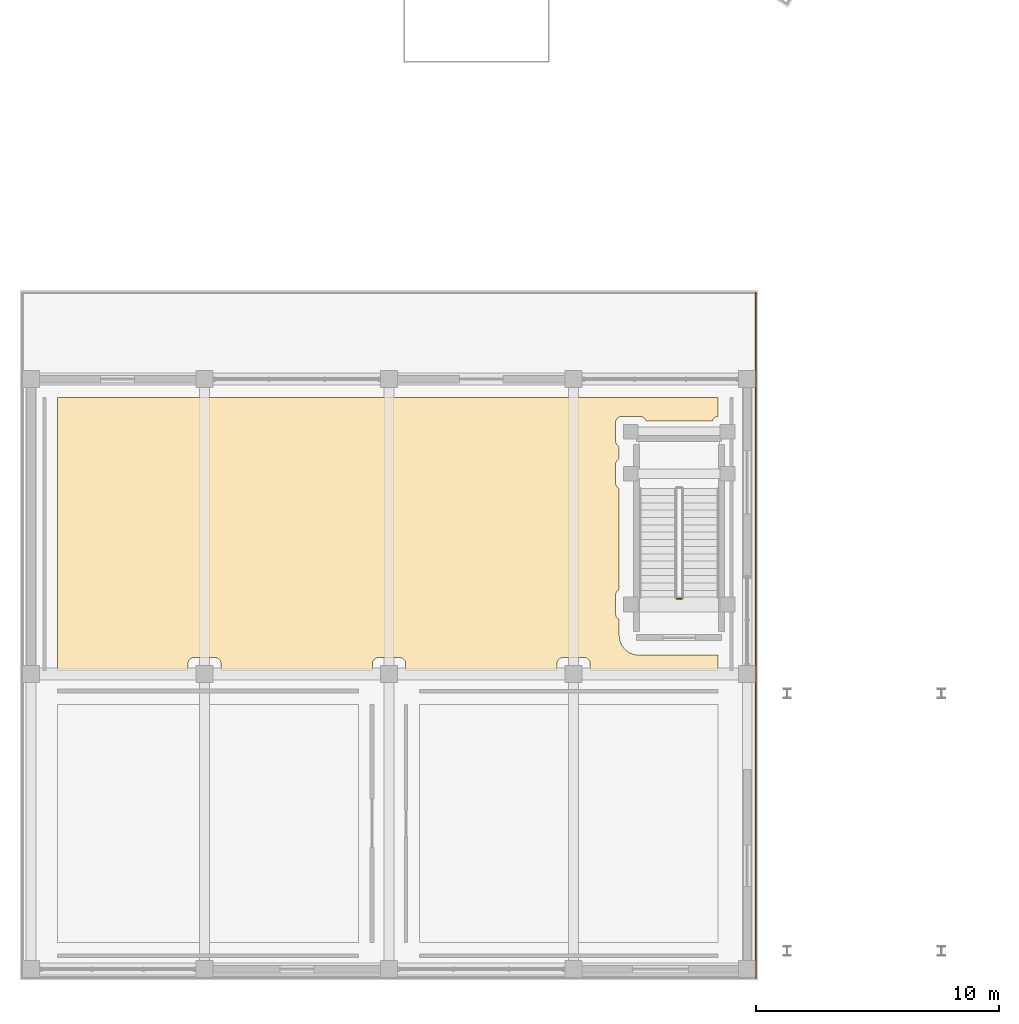
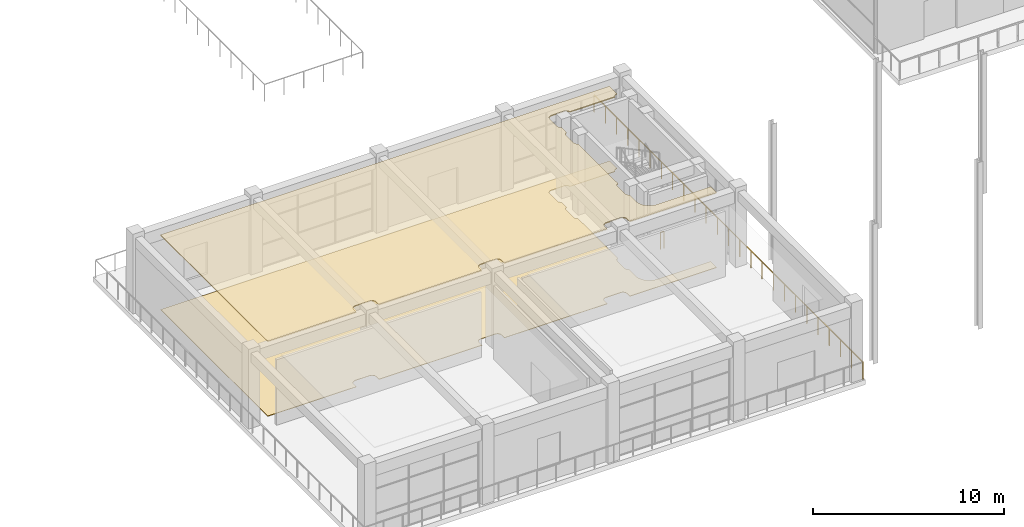
# One storey, part 78 of 99: 2 coverings, 2 railings.
"""IFC4 building model written with IfcOpenShell, lengths in metres."""

from ifc_helpers import new_model, si_unit, direction, frame, origin, origin_2d, place, context, subcontext, project, spatial, polyline, rectangle, outline, extrude, material, layer, layer_set, type_object, element, save


model = new_model("IFC4")

# Units and contexts
model_context = context("Model", 3, precision=1e-05, world=origin(), true_north=direction((0.0, 1.0)))
body_context = subcontext(model_context, "Body", "Model", "MODEL_VIEW")
ifc_project = project(units=[si_unit("LENGTHUNIT", "METRE"), si_unit("AREAUNIT", "SQUARE_METRE"), si_unit("VOLUMEUNIT", "CUBIC_METRE"), si_unit("PLANEANGLEUNIT", "RADIAN"), si_unit("MASSUNIT", "GRAM", prefix="KILO")], contexts=[model_context])

# Site, building, storey
site_placement = place(None, origin())
site = spatial("IfcSite", under=ifc_project, at=site_placement, CompositionType="ELEMENT")
building_placement = place(site_placement, origin())
building = spatial("IfcBuilding", under=site, at=building_placement, Name="Saryqyr Civic Hall", CompositionType="ELEMENT")
storey_placement = place(building_placement, origin())
storey = spatial("IfcBuildingStorey", under=building, at=storey_placement, Name="L00", CompositionType="ELEMENT", Elevation=0.0)

# Coverings
ifc_material_1 = material(Name="Mineral-fibre acoustic ceiling tile", Category="acoustic_tile")
ifc_layer_1 = layer(ifc_material_1, 0.06005859375, Name="Mineral-fibre acoustic ceiling tile")
ifc_layer_set_1 = layer_set([ifc_layer_1], Name="Mineral-fibre acoustic ceiling tile")
covering_type_1 = type_object("IfcCoveringType", Name="INT-COV-CEIL-60", PredefinedType="CEILING", material=ifc_layer_set_1)
covering_1_placement = place(storey_placement, frame((0.0, 0.0, 4.760009765625)))
element("IfcCovering", 1, at=covering_1_placement, inside=storey, type_object=covering_type_1, Name="Acoustic ceiling West Gatehouse Protected Exit Lobby and Public Concourse", PredefinedType="CEILING", context=body_context, shape_type="SweptSolid", body=[
    extrude(outline(polyline([(28.735595703125, 23.208740234375), (28.711181640625, 23.205078125), (28.6875, 23.19921875), (28.664306640625, 23.19091796875), (28.64208984375, 23.180419921875), (28.62109375, 23.16796875), (28.601318359375, 23.1533203125), (28.583251953125, 23.13671875), (28.566650390625, 23.11865234375), (28.552001953125, 23.098876953125), (28.53955078125, 23.077880859375), (28.529052734375, 23.0556640625), (28.520751953125, 23.03271484375), (28.517578125, 23.02001953125), (25.782470703125, 23.02001953125), (25.779296875, 23.03271484375), (25.77099609375, 23.0556640625), (25.760498046875, 23.077880859375), (25.747802734375, 23.098876953125), (25.7333984375, 23.11865234375), (25.716796875, 23.13671875), (25.698486328125, 23.1533203125), (25.678955078125, 23.16796875), (25.65771484375, 23.180419921875), (25.6357421875, 23.19091796875), (25.612548828125, 23.19921875), (25.5888671875, 23.205078125), (25.564453125, 23.208740234375), (25.5400390625, 23.2099609375), (24.780029296875, 23.2099609375), (24.755615234375, 23.208740234375), (24.731201171875, 23.205078125), (24.70751953125, 23.19921875), (24.684326171875, 23.19091796875), (24.662109375, 23.180419921875), (24.64111328125, 23.16796875), (24.621337890625, 23.1533203125), (24.603271484375, 23.13671875), (24.586669921875, 23.11865234375), (24.572021484375, 23.098876953125), (24.5595703125, 23.077880859375), (24.549072265625, 23.0556640625), (24.540771484375, 23.03271484375), (24.534912109375, 23.0087890625), (24.53125, 22.984619140625), (24.530029296875, 22.9599609375), (24.530029296875, 22.199951171875), (24.53125, 22.175537109375), (24.534912109375, 22.151123046875), (24.540771484375, 22.12744140625), (24.549072265625, 22.104248046875), (24.5595703125, 22.082275390625), (24.572021484375, 22.06103515625), (24.586669921875, 22.04150390625), (24.603271484375, 22.023193359375), (24.621337890625, 22.006591796875), (24.64111328125, 21.9921875), (24.662109375, 21.9794921875), (24.679931640625, 21.97119140625), (24.679931640625, 21.458984375), (24.662109375, 21.450439453125), (24.64111328125, 21.43798828125), (24.621337890625, 21.42333984375), (24.603271484375, 21.40673828125), (24.586669921875, 21.388671875), (24.572021484375, 21.368896484375), (24.5595703125, 21.347900390625), (24.549072265625, 21.32568359375), (24.540771484375, 21.302490234375), (24.534912109375, 21.27880859375), (24.53125, 21.25439453125), (24.530029296875, 21.22998046875), (24.530029296875, 20.469970703125), (24.53125, 20.445556640625), (24.534912109375, 20.421142578125), (24.540771484375, 20.3974609375), (24.549072265625, 20.374267578125), (24.5595703125, 20.352294921875), (24.572021484375, 20.3310546875), (24.586669921875, 20.311279296875), (24.603271484375, 20.293212890625), (24.621337890625, 20.276611328125), (24.64111328125, 20.26220703125), (24.662109375, 20.24951171875), (24.679931640625, 20.2412109375), (24.679931640625, 16.073974609375), (24.662109375, 16.0654296875), (24.64111328125, 16.052978515625), (24.621337890625, 16.038330078125), (24.603271484375, 16.021728515625), (24.586669921875, 16.003662109375), (24.572021484375, 15.98388671875), (24.5595703125, 15.962890625), (24.549072265625, 15.940673828125), (24.540771484375, 15.91748046875), (24.534912109375, 15.893798828125), (24.53125, 15.869384765625), (24.530029296875, 15.844970703125), (24.530029296875, 15.0849609375), (24.53125, 15.060546875), (24.534912109375, 15.0361328125), (24.540771484375, 15.012451171875), (24.549072265625, 14.9892578125), (24.5595703125, 14.96728515625), (24.572021484375, 14.946044921875), (24.586669921875, 14.926513671875), (24.603271484375, 14.908203125), (24.621337890625, 14.8916015625), (24.64111328125, 14.877197265625), (24.662109375, 14.864501953125), (24.679931640625, 14.856201171875), (24.679931640625, 14.199951171875), (24.680419921875, 14.180419921875), (24.6826171875, 14.13916015625), (24.686279296875, 14.10009765625), (24.6923828125, 14.059326171875), (24.7001953125, 14.02099609375), (24.710205078125, 13.98095703125), (24.721435546875, 13.943359375), (24.7353515625, 13.904541015625), (24.75048828125, 13.868408203125), (24.76806640625, 13.8310546875), (24.78662109375, 13.79638671875), (24.8076171875, 13.760986328125), (24.82958984375, 13.728515625), (24.85400390625, 13.6953125), (24.87890625, 13.664794921875), (24.906494140625, 13.634521484375), (24.934326171875, 13.606689453125), (24.96484375, 13.5791015625), (24.995361328125, 13.55419921875), (25.0283203125, 13.529541015625), (25.06103515625, 13.5078125), (25.096435546875, 13.486572265625), (25.131103515625, 13.468017578125), (25.168212890625, 13.450439453125), (25.20458984375, 13.435302734375), (25.243408203125, 13.42138671875), (25.281005859375, 13.41015625), (25.32080078125, 13.400146484375), (25.359375, 13.392333984375), (25.400146484375, 13.386474609375), (25.439208984375, 13.382568359375), (25.48046875, 13.380615234375), (25.5, 13.3798828125), (28.75, 13.3798828125), (28.75, 12.75), (23.47998046875, 12.75), (23.47998046875, 13.030029296875), (23.478759765625, 13.054443359375), (23.47509765625, 13.078857421875), (23.46923828125, 13.1025390625), (23.4609375, 13.125732421875), (23.450439453125, 13.147705078125), (23.43798828125, 13.1689453125), (23.42333984375, 13.188720703125), (23.40673828125, 13.206787109375), (23.388671875, 13.223388671875), (23.368896484375, 13.23779296875), (23.347900390625, 13.25048828125), (23.32568359375, 13.260986328125), (23.302490234375, 13.269287109375), (23.27880859375, 13.275146484375), (23.25439453125, 13.27880859375), (23.22998046875, 13.280029296875), (22.3701171875, 13.280029296875), (22.345458984375, 13.27880859375), (22.3212890625, 13.275146484375), (22.29736328125, 13.269287109375), (22.2744140625, 13.260986328125), (22.252197265625, 13.25048828125), (22.231201171875, 13.23779296875), (22.21142578125, 13.223388671875), (22.193115234375, 13.206787109375), (22.1767578125, 13.188720703125), (22.162109375, 13.1689453125), (22.1494140625, 13.147705078125), (22.138916015625, 13.125732421875), (22.130859375, 13.1025390625), (22.124755859375, 13.078857421875), (22.12109375, 13.054443359375), (22.1201171875, 13.030029296875), (22.1201171875, 12.75), (15.8798828125, 12.75), (15.8798828125, 13.030029296875), (15.87890625, 13.054443359375), (15.875244140625, 13.078857421875), (15.869140625, 13.1025390625), (15.861083984375, 13.125732421875), (15.8505859375, 13.147705078125), (15.837890625, 13.1689453125), (15.8232421875, 13.188720703125), (15.806884765625, 13.206787109375), (15.78857421875, 13.223388671875), (15.768798828125, 13.23779296875), (15.747802734375, 13.25048828125), (15.7255859375, 13.260986328125), (15.70263671875, 13.269287109375), (15.6787109375, 13.275146484375), (15.654541015625, 13.27880859375), (15.6298828125, 13.280029296875), (14.77001953125, 13.280029296875), (14.74560546875, 13.27880859375), (14.72119140625, 13.275146484375), (14.697509765625, 13.269287109375), (14.67431640625, 13.260986328125), (14.652099609375, 13.25048828125), (14.631103515625, 13.23779296875), (14.611328125, 13.223388671875), (14.59326171875, 13.206787109375), (14.57666015625, 13.188720703125), (14.56201171875, 13.1689453125), (14.549560546875, 13.147705078125), (14.5390625, 13.125732421875), (14.53076171875, 13.1025390625), (14.52490234375, 13.078857421875), (14.521240234375, 13.054443359375), (14.52001953125, 13.030029296875), (14.52001953125, 12.75), (8.280029296875, 12.75), (8.280029296875, 13.030029296875), (8.27880859375, 13.054443359375), (8.275146484375, 13.078857421875), (8.269287109375, 13.1025390625), (8.260986328125, 13.125732421875), (8.25048828125, 13.147705078125), (8.23779296875, 13.1689453125), (8.223388671875, 13.188720703125), (8.206787109375, 13.206787109375), (8.188720703125, 13.223388671875), (8.1689453125, 13.23779296875), (8.147705078125, 13.25048828125), (8.125732421875, 13.260986328125), (8.1025390625, 13.269287109375), (8.078857421875, 13.275146484375), (8.054443359375, 13.27880859375), (8.030029296875, 13.280029296875), (7.169921875, 13.280029296875), (7.1455078125, 13.27880859375), (7.12109375, 13.275146484375), (7.097412109375, 13.269287109375), (7.07421875, 13.260986328125), (7.05224609375, 13.25048828125), (7.031005859375, 13.23779296875), (7.011474609375, 13.223388671875), (6.9931640625, 13.206787109375), (6.976806640625, 13.188720703125), (6.962158203125, 13.1689453125), (6.949462890625, 13.147705078125), (6.93896484375, 13.125732421875), (6.930908203125, 13.1025390625), (6.9248046875, 13.078857421875), (6.921142578125, 13.054443359375), (6.919921875, 13.030029296875), (6.919921875, 12.75), (1.550048828125, 12.75), (1.550048828125, 24.0), (28.75, 24.0), (28.75, 23.20947265625), (28.735595703125, 23.208740234375)])), origin(), (0.0, 0.0, 1.0), 0.06005859375),
])
ifc_material_2 = material(Name="Polished terrazzo tile", Category="stone")
ifc_layer_2 = layer(ifc_material_2, 0.030029296875, Name="Polished terrazzo tile")
ifc_layer_set_2 = layer_set([ifc_layer_2], Name="Polished terrazzo tile")
covering_type_2 = type_object("IfcCoveringType", Name="INT-COV-FLR-30", PredefinedType="FLOORING", material=ifc_layer_set_2)
covering_2_placement = place(storey_placement, origin())
element("IfcCovering", 2, at=covering_2_placement, inside=storey, type_object=covering_type_2, Name="Polished terrazzo flooring West Gatehouse Protected Exit Lobby and Public Concourse", PredefinedType="FLOORING", context=body_context, shape_type="SweptSolid", body=[
    extrude(outline(polyline([(28.735595703125, 23.208740234375), (28.711181640625, 23.205078125), (28.6875, 23.19921875), (28.664306640625, 23.19091796875), (28.64208984375, 23.180419921875), (28.62109375, 23.16796875), (28.601318359375, 23.1533203125), (28.583251953125, 23.13671875), (28.566650390625, 23.11865234375), (28.552001953125, 23.098876953125), (28.53955078125, 23.077880859375), (28.529052734375, 23.0556640625), (28.520751953125, 23.03271484375), (28.517578125, 23.02001953125), (25.782470703125, 23.02001953125), (25.779296875, 23.03271484375), (25.77099609375, 23.0556640625), (25.760498046875, 23.077880859375), (25.747802734375, 23.098876953125), (25.7333984375, 23.11865234375), (25.716796875, 23.13671875), (25.698486328125, 23.1533203125), (25.678955078125, 23.16796875), (25.65771484375, 23.180419921875), (25.6357421875, 23.19091796875), (25.612548828125, 23.19921875), (25.5888671875, 23.205078125), (25.564453125, 23.208740234375), (25.5400390625, 23.2099609375), (24.780029296875, 23.2099609375), (24.755615234375, 23.208740234375), (24.731201171875, 23.205078125), (24.70751953125, 23.19921875), (24.684326171875, 23.19091796875), (24.662109375, 23.180419921875), (24.64111328125, 23.16796875), (24.621337890625, 23.1533203125), (24.603271484375, 23.13671875), (24.586669921875, 23.11865234375), (24.572021484375, 23.098876953125), (24.5595703125, 23.077880859375), (24.549072265625, 23.0556640625), (24.540771484375, 23.03271484375), (24.534912109375, 23.0087890625), (24.53125, 22.984619140625), (24.530029296875, 22.9599609375), (24.530029296875, 22.199951171875), (24.53125, 22.175537109375), (24.534912109375, 22.151123046875), (24.540771484375, 22.12744140625), (24.549072265625, 22.104248046875), (24.5595703125, 22.082275390625), (24.572021484375, 22.06103515625), (24.586669921875, 22.04150390625), (24.603271484375, 22.023193359375), (24.621337890625, 22.006591796875), (24.64111328125, 21.9921875), (24.662109375, 21.9794921875), (24.679931640625, 21.97119140625), (24.679931640625, 21.458984375), (24.662109375, 21.450439453125), (24.64111328125, 21.43798828125), (24.621337890625, 21.42333984375), (24.603271484375, 21.40673828125), (24.586669921875, 21.388671875), (24.572021484375, 21.368896484375), (24.5595703125, 21.347900390625), (24.549072265625, 21.32568359375), (24.540771484375, 21.302490234375), (24.534912109375, 21.27880859375), (24.53125, 21.25439453125), (24.530029296875, 21.22998046875), (24.530029296875, 20.469970703125), (24.53125, 20.445556640625), (24.534912109375, 20.421142578125), (24.540771484375, 20.3974609375), (24.549072265625, 20.374267578125), (24.5595703125, 20.352294921875), (24.572021484375, 20.3310546875), (24.586669921875, 20.311279296875), (24.603271484375, 20.293212890625), (24.621337890625, 20.276611328125), (24.64111328125, 20.26220703125), (24.662109375, 20.24951171875), (24.679931640625, 20.2412109375), (24.679931640625, 16.073974609375), (24.662109375, 16.0654296875), (24.64111328125, 16.052978515625), (24.621337890625, 16.038330078125), (24.603271484375, 16.021728515625), (24.586669921875, 16.003662109375), (24.572021484375, 15.98388671875), (24.5595703125, 15.962890625), (24.549072265625, 15.940673828125), (24.540771484375, 15.91748046875), (24.534912109375, 15.893798828125), (24.53125, 15.869384765625), (24.530029296875, 15.844970703125), (24.530029296875, 15.0849609375), (24.53125, 15.060546875), (24.534912109375, 15.0361328125), (24.540771484375, 15.012451171875), (24.549072265625, 14.9892578125), (24.5595703125, 14.96728515625), (24.572021484375, 14.946044921875), (24.586669921875, 14.926513671875), (24.603271484375, 14.908203125), (24.621337890625, 14.8916015625), (24.64111328125, 14.877197265625), (24.662109375, 14.864501953125), (24.679931640625, 14.856201171875), (24.679931640625, 14.199951171875), (24.680419921875, 14.180419921875), (24.6826171875, 14.13916015625), (24.686279296875, 14.10009765625), (24.6923828125, 14.059326171875), (24.7001953125, 14.02099609375), (24.710205078125, 13.98095703125), (24.721435546875, 13.943359375), (24.7353515625, 13.904541015625), (24.75048828125, 13.868408203125), (24.76806640625, 13.8310546875), (24.78662109375, 13.79638671875), (24.8076171875, 13.760986328125), (24.82958984375, 13.728515625), (24.85400390625, 13.6953125), (24.87890625, 13.664794921875), (24.906494140625, 13.634521484375), (24.934326171875, 13.606689453125), (24.96484375, 13.5791015625), (24.995361328125, 13.55419921875), (25.0283203125, 13.529541015625), (25.06103515625, 13.5078125), (25.096435546875, 13.486572265625), (25.131103515625, 13.468017578125), (25.168212890625, 13.450439453125), (25.20458984375, 13.435302734375), (25.243408203125, 13.42138671875), (25.281005859375, 13.41015625), (25.32080078125, 13.400146484375), (25.359375, 13.392333984375), (25.400146484375, 13.386474609375), (25.439208984375, 13.382568359375), (25.48046875, 13.380615234375), (25.5, 13.3798828125), (28.75, 13.3798828125), (28.75, 12.75), (23.47998046875, 12.75), (23.47998046875, 13.030029296875), (23.478759765625, 13.054443359375), (23.47509765625, 13.078857421875), (23.46923828125, 13.1025390625), (23.4609375, 13.125732421875), (23.450439453125, 13.147705078125), (23.43798828125, 13.1689453125), (23.42333984375, 13.188720703125), (23.40673828125, 13.206787109375), (23.388671875, 13.223388671875), (23.368896484375, 13.23779296875), (23.347900390625, 13.25048828125), (23.32568359375, 13.260986328125), (23.302490234375, 13.269287109375), (23.27880859375, 13.275146484375), (23.25439453125, 13.27880859375), (23.22998046875, 13.280029296875), (22.3701171875, 13.280029296875), (22.345458984375, 13.27880859375), (22.3212890625, 13.275146484375), (22.29736328125, 13.269287109375), (22.2744140625, 13.260986328125), (22.252197265625, 13.25048828125), (22.231201171875, 13.23779296875), (22.21142578125, 13.223388671875), (22.193115234375, 13.206787109375), (22.1767578125, 13.188720703125), (22.162109375, 13.1689453125), (22.1494140625, 13.147705078125), (22.138916015625, 13.125732421875), (22.130859375, 13.1025390625), (22.124755859375, 13.078857421875), (22.12109375, 13.054443359375), (22.1201171875, 13.030029296875), (22.1201171875, 12.75), (15.8798828125, 12.75), (15.8798828125, 13.030029296875), (15.87890625, 13.054443359375), (15.875244140625, 13.078857421875), (15.869140625, 13.1025390625), (15.861083984375, 13.125732421875), (15.8505859375, 13.147705078125), (15.837890625, 13.1689453125), (15.8232421875, 13.188720703125), (15.806884765625, 13.206787109375), (15.78857421875, 13.223388671875), (15.768798828125, 13.23779296875), (15.747802734375, 13.25048828125), (15.7255859375, 13.260986328125), (15.70263671875, 13.269287109375), (15.6787109375, 13.275146484375), (15.654541015625, 13.27880859375), (15.6298828125, 13.280029296875), (14.77001953125, 13.280029296875), (14.74560546875, 13.27880859375), (14.72119140625, 13.275146484375), (14.697509765625, 13.269287109375), (14.67431640625, 13.260986328125), (14.652099609375, 13.25048828125), (14.631103515625, 13.23779296875), (14.611328125, 13.223388671875), (14.59326171875, 13.206787109375), (14.57666015625, 13.188720703125), (14.56201171875, 13.1689453125), (14.549560546875, 13.147705078125), (14.5390625, 13.125732421875), (14.53076171875, 13.1025390625), (14.52490234375, 13.078857421875), (14.521240234375, 13.054443359375), (14.52001953125, 13.030029296875), (14.52001953125, 12.75), (8.280029296875, 12.75), (8.280029296875, 13.030029296875), (8.27880859375, 13.054443359375), (8.275146484375, 13.078857421875), (8.269287109375, 13.1025390625), (8.260986328125, 13.125732421875), (8.25048828125, 13.147705078125), (8.23779296875, 13.1689453125), (8.223388671875, 13.188720703125), (8.206787109375, 13.206787109375), (8.188720703125, 13.223388671875), (8.1689453125, 13.23779296875), (8.147705078125, 13.25048828125), (8.125732421875, 13.260986328125), (8.1025390625, 13.269287109375), (8.078857421875, 13.275146484375), (8.054443359375, 13.27880859375), (8.030029296875, 13.280029296875), (7.169921875, 13.280029296875), (7.1455078125, 13.27880859375), (7.12109375, 13.275146484375), (7.097412109375, 13.269287109375), (7.07421875, 13.260986328125), (7.05224609375, 13.25048828125), (7.031005859375, 13.23779296875), (7.011474609375, 13.223388671875), (6.9931640625, 13.206787109375), (6.976806640625, 13.188720703125), (6.962158203125, 13.1689453125), (6.949462890625, 13.147705078125), (6.93896484375, 13.125732421875), (6.930908203125, 13.1025390625), (6.9248046875, 13.078857421875), (6.921142578125, 13.054443359375), (6.919921875, 13.030029296875), (6.919921875, 12.75), (1.550048828125, 12.75), (1.550048828125, 24.0), (28.75, 24.0), (28.75, 23.20947265625), (28.735595703125, 23.208740234375)])), origin(), (0.0, 0.0, 1.0), 0.030029296875),
])

# Railings
ifc_material_3 = material(Name="Warm brushed brass and laminated glass", Category="glass")
ifc_layer_3 = layer(ifc_material_3, 0.06005859375, Name="Warm brushed brass and laminated glass")
ifc_layer_set_3 = layer_set([ifc_layer_3], Name="Warm brushed brass and laminated glass")
railing_type = type_object("IfcRailingType", Name="INT-RLG-BAL-1100", PredefinedType="BALUSTRADE", material=ifc_layer_set_3)
railing_1_placement = place(storey_placement, frame((27.25, 15.699951171875, 0.0)))
element("IfcRailing", 3, at=railing_1_placement, inside=storey, type_object=railing_type, Name="L00 ST-7 stair guard 4", PredefinedType="BALUSTRADE", context=body_context, shape_type="SweptSolid", body=[
    extrude(rectangle(XDim=0.048095703125, YDim=0.048095703125, at=origin_2d()), frame((0.0, 0.0, 1.076171875), z_axis=(-1.0, 0.0, 0.0), x_axis=(0.0, -1.0, 0.0)), (0.0, 0.0, 1.0), 0.199951171875),
    extrude(rectangle(XDim=0.0419921875, YDim=0.0419921875, at=origin_2d()), origin(), (0.0, 0.0, 1.0), 1.052001953125),
    extrude(rectangle(XDim=0.0419921875, YDim=0.0419921875, at=origin_2d()), frame((-0.199951171875, 0.0, 0.0)), (0.0, 0.0, 1.0), 1.052001953125),
])
railing_2_placement = place(storey_placement, frame((30.300048828125, 28.300048828125, 0.0)))
element("IfcRailing", 4, at=railing_2_placement, inside=storey, type_object=railing_type, Name="Interior deck safety balustrade L00-076", PredefinedType="BALUSTRADE", context=body_context, shape_type="SweptSolid", body=[
    extrude(rectangle(XDim=0.048095703125, YDim=0.048095703125, at=origin_2d()), frame((0.0, 0.0, 1.09619140625), z_axis=(0.0, -1.0, 0.0), x_axis=(1.0, 0.0, 0.0)), (0.0, 0.0, 1.0), 28.199951171875),
    extrude(rectangle(XDim=0.0419921875, YDim=0.0419921875, at=origin_2d()), origin(), (0.0, 0.0, 1.0), 1.072021484375),
    extrude(rectangle(XDim=0.0419921875, YDim=0.0419921875, at=origin_2d()), frame((0.0, -1.175048828125, 0.0)), (0.0, 0.0, 1.0), 1.072021484375),
    extrude(rectangle(XDim=0.0419921875, YDim=0.0419921875, at=origin_2d()), frame((0.0, -2.35009765625, 0.0)), (0.0, 0.0, 1.0), 1.072021484375),
    extrude(rectangle(XDim=0.0419921875, YDim=0.0419921875, at=origin_2d()), frame((0.0, -3.52490234375, 0.0)), (0.0, 0.0, 1.0), 1.072021484375),
    extrude(rectangle(XDim=0.0419921875, YDim=0.0419921875, at=origin_2d()), frame((0.0, -4.699951171875, 0.0)), (0.0, 0.0, 1.0), 1.072021484375),
    extrude(rectangle(XDim=0.0419921875, YDim=0.0419921875, at=origin_2d()), frame((0.0, -5.875, 0.0)), (0.0, 0.0, 1.0), 1.072021484375),
    extrude(rectangle(XDim=0.0419921875, YDim=0.0419921875, at=origin_2d()), frame((0.0, -7.050048828125, 0.0)), (0.0, 0.0, 1.0), 1.072021484375),
    extrude(rectangle(XDim=0.0419921875, YDim=0.0419921875, at=origin_2d()), frame((0.0, -8.22509765625, 0.0)), (0.0, 0.0, 1.0), 1.072021484375),
    extrude(rectangle(XDim=0.0419921875, YDim=0.0419921875, at=origin_2d()), frame((0.0, -9.39990234375, 0.0)), (0.0, 0.0, 1.0), 1.072021484375),
    extrude(rectangle(XDim=0.0419921875, YDim=0.0419921875, at=origin_2d()), frame((0.0, -10.574951171875, 0.0)), (0.0, 0.0, 1.0), 1.072021484375),
    extrude(rectangle(XDim=0.0419921875, YDim=0.0419921875, at=origin_2d()), frame((0.0, -11.75, 0.0)), (0.0, 0.0, 1.0), 1.072021484375),
    extrude(rectangle(XDim=0.0419921875, YDim=0.0419921875, at=origin_2d()), frame((0.0, -12.925048828125, 0.0)), (0.0, 0.0, 1.0), 1.072021484375),
    extrude(rectangle(XDim=0.0419921875, YDim=0.0419921875, at=origin_2d()), frame((0.0, -14.10009765625, 0.0)), (0.0, 0.0, 1.0), 1.072021484375),
    extrude(rectangle(XDim=0.0419921875, YDim=0.0419921875, at=origin_2d()), frame((0.0, -15.27490234375, 0.0)), (0.0, 0.0, 1.0), 1.072021484375),
    extrude(rectangle(XDim=0.0419921875, YDim=0.0419921875, at=origin_2d()), frame((0.0, -16.449951171875, 0.0)), (0.0, 0.0, 1.0), 1.072021484375),
    extrude(rectangle(XDim=0.0419921875, YDim=0.0419921875, at=origin_2d()), frame((0.0, -17.625, 0.0)), (0.0, 0.0, 1.0), 1.072021484375),
    extrude(rectangle(XDim=0.0419921875, YDim=0.0419921875, at=origin_2d()), frame((0.0, -18.800048828125, 0.0)), (0.0, 0.0, 1.0), 1.072021484375),
    extrude(rectangle(XDim=0.0419921875, YDim=0.0419921875, at=origin_2d()), frame((0.0, -19.974853515625, 0.0)), (0.0, 0.0, 1.0), 1.072021484375),
    extrude(rectangle(XDim=0.0419921875, YDim=0.0419921875, at=origin_2d()), frame((0.0, -21.14990234375, 0.0)), (0.0, 0.0, 1.0), 1.072021484375),
    extrude(rectangle(XDim=0.0419921875, YDim=0.0419921875, at=origin_2d()), frame((0.0, -22.324951171875, 0.0)), (0.0, 0.0, 1.0), 1.072021484375),
    extrude(rectangle(XDim=0.0419921875, YDim=0.0419921875, at=origin_2d()), frame((0.0, -23.5, 0.0)), (0.0, 0.0, 1.0), 1.072021484375),
    extrude(rectangle(XDim=0.0419921875, YDim=0.0419921875, at=origin_2d()), frame((0.0, -24.675048828125, 0.0)), (0.0, 0.0, 1.0), 1.072021484375),
    extrude(rectangle(XDim=0.0419921875, YDim=0.0419921875, at=origin_2d()), frame((0.0, -25.849853515625, 0.0)), (0.0, 0.0, 1.0), 1.072021484375),
    extrude(rectangle(XDim=0.0419921875, YDim=0.0419921875, at=origin_2d()), frame((0.0, -27.02490234375, 0.0)), (0.0, 0.0, 1.0), 1.072021484375),
    extrude(rectangle(XDim=0.0419921875, YDim=0.0419921875, at=origin_2d()), frame((0.0, -28.199951171875, 0.0)), (0.0, 0.0, 1.0), 1.072021484375),
])

save(model, "model.ifc")
